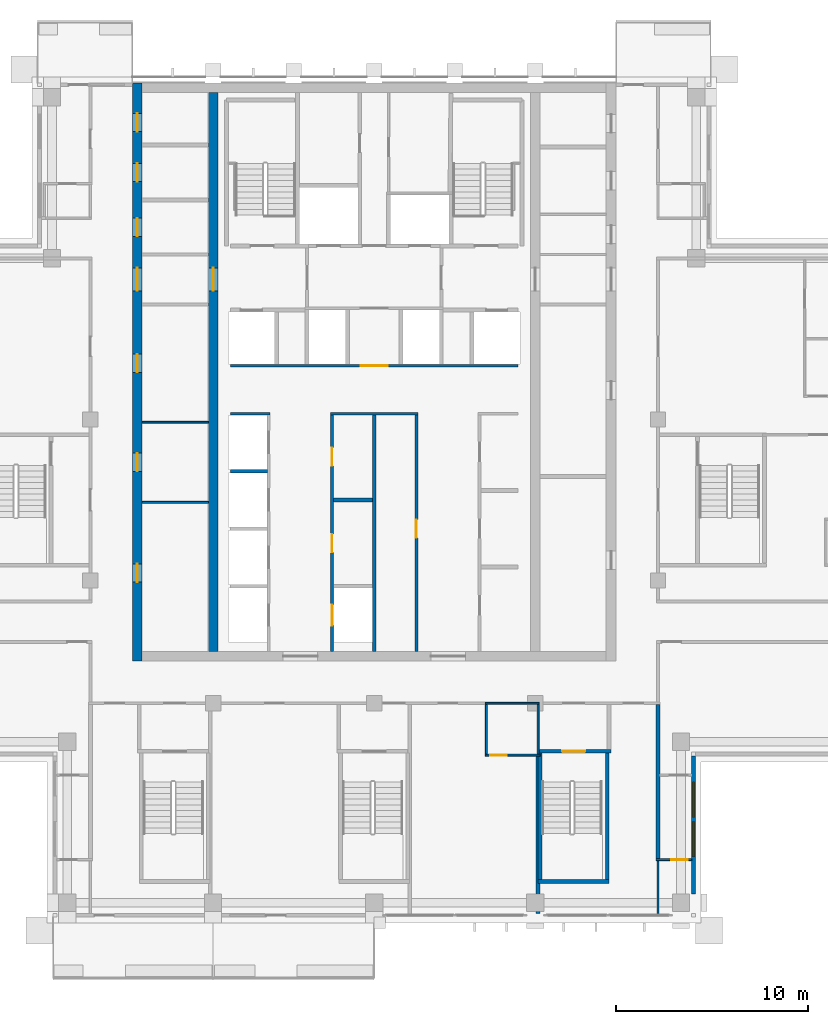
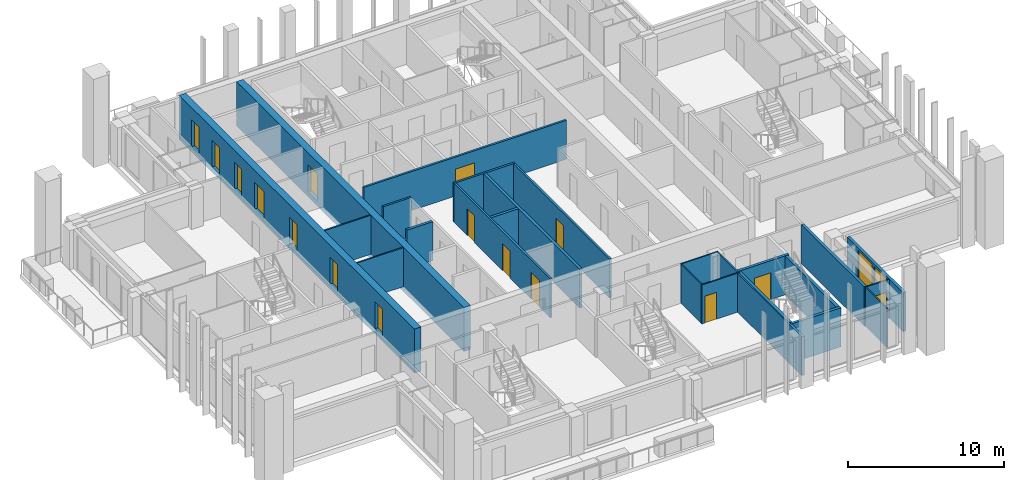
# One storey, part 8 of 16: 25 walls, 16 doors, 2 windows, 18 openings.
"""IFC4 building model written with IfcOpenShell, lengths in metres."""

from ifc_helpers import new_model, si_unit, direction, frame, frame_2d, origin, place, context, subcontext, project, spatial, rectangle, extrude, material, layer, layer_set, type_object, element, fill, save


model = new_model("IFC4")

# Units and contexts
model_context = context("Model", 3, precision=1e-05, world=origin(), true_north=direction((0.0, 1.0)))
body_context = subcontext(model_context, "Body", "Model", "MODEL_VIEW")
ifc_project = project(units=[si_unit("LENGTHUNIT", "METRE"), si_unit("AREAUNIT", "SQUARE_METRE"), si_unit("VOLUMEUNIT", "CUBIC_METRE"), si_unit("PLANEANGLEUNIT", "RADIAN"), si_unit("MASSUNIT", "GRAM", prefix="KILO")], contexts=[model_context])

# Site, building, storey
site_placement = place(None, origin())
site = spatial("IfcSite", under=ifc_project, at=site_placement, CompositionType="ELEMENT")
building_placement = place(site_placement, origin())
building = spatial("IfcBuilding", under=site, at=building_placement, Name="Vermilion Ogive Tower", CompositionType="ELEMENT")
storey_placement = place(building_placement, frame((0.0, 0.0, 233.800048828125)))
storey = spatial("IfcBuildingStorey", under=building, at=storey_placement, Name="L61", CompositionType="ELEMENT", Elevation=233.800048828125)

# Wall, openings, doors
ifc_material_1 = material(Name="Concrete B60", Category="concrete")
ifc_layer_1 = layer(ifc_material_1, 0.5)
ifc_layer_set_1 = layer_set([ifc_layer_1], Name="Core wall 500 B60")
wall_type_1 = type_object("IfcWallType", Name="Core wall 500 B60", PredefinedType="SHEAR", material=ifc_layer_set_1)
wall_1_placement = place(storey_placement, frame((-12.35009765625, -8.39990234375, -0.400146484375), z_axis=(0.0, 0.0, 1.0), x_axis=(0.0, 1.0, 0.0)))
wall_1 = element("IfcWall", 1, at=wall_1_placement, inside=storey, type_object=wall_type_1, Name="L61-CORE-W", PredefinedType="SHEAR", context=body_context, shape_type="SweptSolid", body=[
    extrude(rectangle(XDim=30.14990234375, YDim=0.5, at=frame_2d((15.074951171875, 0.0))), origin(), (0.0, 0.0, 1.0), 3.4501953125),
])
opening_1_placement = place(wall_1_placement, frame((4.112548828125, 0.0, 0.39990234375)))
opening_1 = element("IfcOpeningElement", 2, at=opening_1_placement, cuts=wall_1, Name="Opening DAD105", PredefinedType="OPENING", context=body_context, shape_type="SweptSolid", body=[
    extrude(rectangle(XDim=0.949951171875, YDim=2.10009765625, at=frame_2d((0.47509765625, 1.050048828125))), frame((0.0, 0.260009765625, 0.0), z_axis=(0.0, -1.0, 0.0), x_axis=(1.0, 0.0, 0.0)), (0.0, 0.0, 1.0), 0.52001953125),
])
opening_2_placement = place(wall_1_placement, frame((9.8896484375, 0.0, 0.39990234375)))
opening_2 = element("IfcOpeningElement", 3, at=opening_2_placement, cuts=wall_1, Name="Opening DAD106", PredefinedType="OPENING", context=body_context, shape_type="SweptSolid", body=[
    extrude(rectangle(XDim=0.949951171875, YDim=2.10009765625, at=frame_2d((0.47509765625, 1.050048828125))), frame((0.0, 0.260009765625, 0.0), z_axis=(0.0, -1.0, 0.0), x_axis=(1.0, 0.0, 0.0)), (0.0, 0.0, 1.0), 0.52001953125),
])
opening_3_placement = place(wall_1_placement, frame((15.052001953125, 0.0, 0.39990234375)))
opening_3 = element("IfcOpeningElement", 4, at=opening_3_placement, cuts=wall_1, Name="Opening DAD107", PredefinedType="OPENING", context=body_context, shape_type="SweptSolid", body=[
    extrude(rectangle(XDim=0.949951171875, YDim=2.10009765625, at=frame_2d((0.47509765625, 1.050048828125))), frame((0.0, 0.260009765625, 0.0), z_axis=(0.0, -1.0, 0.0), x_axis=(1.0, 0.0, 0.0)), (0.0, 0.0, 1.0), 0.52001953125),
])
opening_4_placement = place(wall_1_placement, frame((22.1435546875, 0.0, 0.39990234375)))
opening_4 = element("IfcOpeningElement", 5, at=opening_4_placement, cuts=wall_1, Name="Opening DAD108", PredefinedType="OPENING", context=body_context, shape_type="SweptSolid", body=[
    extrude(rectangle(XDim=0.949951171875, YDim=2.10009765625, at=frame_2d((0.47509765625, 1.050048828125))), frame((0.0, 0.260009765625, 0.0), z_axis=(0.0, -1.0, 0.0), x_axis=(1.0, 0.0, 0.0)), (0.0, 0.0, 1.0), 0.52001953125),
])
opening_5_placement = place(wall_1_placement, frame((24.998291015625, 0.0, 0.39990234375)))
opening_5 = element("IfcOpeningElement", 6, at=opening_5_placement, cuts=wall_1, Name="Opening DAD109", PredefinedType="OPENING", context=body_context, shape_type="SweptSolid", body=[
    extrude(rectangle(XDim=0.949951171875, YDim=2.10009765625, at=frame_2d((0.47509765625, 1.050048828125))), frame((0.0, 0.260009765625, 0.0), z_axis=(0.0, -1.0, 0.0), x_axis=(1.0, 0.0, 0.0)), (0.0, 0.0, 1.0), 0.52001953125),
])
opening_6_placement = place(wall_1_placement, frame((27.604736328125, 0.0, 0.39990234375)))
opening_6 = element("IfcOpeningElement", 7, at=opening_6_placement, cuts=wall_1, Name="Opening DAD110", PredefinedType="OPENING", context=body_context, shape_type="SweptSolid", body=[
    extrude(rectangle(XDim=0.949951171875, YDim=2.10009765625, at=frame_2d((0.47509765625, 1.050048828125))), frame((0.0, 0.260009765625, 0.0), z_axis=(0.0, -1.0, 0.0), x_axis=(1.0, 0.0, 0.0)), (0.0, 0.0, 1.0), 0.52001953125),
])
opening_7_placement = place(wall_1_placement, frame((19.300048828125, 0.0, 0.39990234375)))
opening_7 = element("IfcOpeningElement", 8, at=opening_7_placement, cuts=wall_1, Name="Opening DAM025", PredefinedType="OPENING", context=body_context, shape_type="SweptSolid", body=[
    extrude(rectangle(XDim=1.199951171875, YDim=2.10009765625, at=frame_2d((0.60009765625, 1.050048828125))), frame((0.0, 0.260009765625, 0.0), z_axis=(0.0, -1.0, 0.0), x_axis=(1.0, 0.0, 0.0)), (0.0, 0.0, 1.0), 0.52001953125),
])
ifc_material_2 = material(Name="Timber door leaf", Category="wood")
door_type_1 = type_object("IfcDoorType", Name="Link door 1200 x 2100 FD60S", OperationType="SINGLE_SWING_LEFT", PredefinedType="DOOR", material=ifc_material_2)
door_1_placement = place(opening_7_placement, origin())
door_1 = element("IfcDoor", 9, at=door_1_placement, inside=storey, type_object=door_type_1, Name="L61-CKW-XL", OperationType="SINGLE_SWING_LEFT", OverallHeight=2.10009765625, OverallWidth=1.199951171875, PredefinedType="DOOR", context=body_context, shape_type="SweptSolid", body=[
    extrude(rectangle(XDim=1.199951171875, YDim=2.10009765625, at=frame_2d((0.60009765625, 1.050048828125))), frame((0.0, 0.02490234375, 0.0), z_axis=(0.0, -1.0, 0.0), x_axis=(1.0, 0.0, 0.0)), (0.0, 0.0, 1.0), 0.050048828125),
])
fill(opening_7, door_1)
ifc_material_3 = material(Name="Timber door leaf", Category="wood")
door_type_2 = type_object("IfcDoorType", Name="Service door 950 x 2100 FD60", OperationType="SINGLE_SWING_LEFT", PredefinedType="DOOR", material=ifc_material_3)
door_2_placement = place(opening_1_placement, origin())
door_2 = element("IfcDoor", 10, at=door_2_placement, inside=storey, type_object=door_type_2, Name="L61-CKW-XR0", OperationType="SINGLE_SWING_LEFT", OverallHeight=2.10009765625, OverallWidth=0.949951171875, PredefinedType="DOOR", context=body_context, shape_type="SweptSolid", body=[
    extrude(rectangle(XDim=0.949951171875, YDim=2.10009765625, at=frame_2d((0.47509765625, 1.050048828125))), frame((0.0, 0.02490234375, 0.0), z_axis=(0.0, -1.0, 0.0), x_axis=(1.0, 0.0, 0.0)), (0.0, 0.0, 1.0), 0.050048828125),
])
fill(opening_1, door_2)
door_3_placement = place(opening_2_placement, origin())
door_3 = element("IfcDoor", 11, at=door_3_placement, inside=storey, type_object=door_type_2, Name="L61-CKW-XR1", OperationType="SINGLE_SWING_LEFT", OverallHeight=2.10009765625, OverallWidth=0.949951171875, PredefinedType="DOOR", context=body_context, shape_type="SweptSolid", body=[
    extrude(rectangle(XDim=0.949951171875, YDim=2.10009765625, at=frame_2d((0.47509765625, 1.050048828125))), frame((0.0, 0.02490234375, 0.0), z_axis=(0.0, -1.0, 0.0), x_axis=(1.0, 0.0, 0.0)), (0.0, 0.0, 1.0), 0.050048828125),
])
fill(opening_2, door_3)
door_4_placement = place(opening_3_placement, origin())
door_4 = element("IfcDoor", 12, at=door_4_placement, inside=storey, type_object=door_type_2, Name="L61-CKW-XR2", OperationType="SINGLE_SWING_LEFT", OverallHeight=2.10009765625, OverallWidth=0.949951171875, PredefinedType="DOOR", context=body_context, shape_type="SweptSolid", body=[
    extrude(rectangle(XDim=0.949951171875, YDim=2.10009765625, at=frame_2d((0.47509765625, 1.050048828125))), frame((0.0, 0.02490234375, 0.0), z_axis=(0.0, -1.0, 0.0), x_axis=(1.0, 0.0, 0.0)), (0.0, 0.0, 1.0), 0.050048828125),
])
fill(opening_3, door_4)
door_5_placement = place(opening_4_placement, origin())
door_5 = element("IfcDoor", 13, at=door_5_placement, inside=storey, type_object=door_type_2, Name="L61-CKW-XR3", OperationType="SINGLE_SWING_LEFT", OverallHeight=2.10009765625, OverallWidth=0.949951171875, PredefinedType="DOOR", context=body_context, shape_type="SweptSolid", body=[
    extrude(rectangle(XDim=0.949951171875, YDim=2.10009765625, at=frame_2d((0.47509765625, 1.050048828125))), frame((0.0, 0.02490234375, 0.0), z_axis=(0.0, -1.0, 0.0), x_axis=(1.0, 0.0, 0.0)), (0.0, 0.0, 1.0), 0.050048828125),
])
fill(opening_4, door_5)
door_6_placement = place(opening_5_placement, origin())
door_6 = element("IfcDoor", 14, at=door_6_placement, inside=storey, type_object=door_type_2, Name="L61-CKW-XR4", OperationType="SINGLE_SWING_LEFT", OverallHeight=2.10009765625, OverallWidth=0.949951171875, PredefinedType="DOOR", context=body_context, shape_type="SweptSolid", body=[
    extrude(rectangle(XDim=0.949951171875, YDim=2.10009765625, at=frame_2d((0.47509765625, 1.050048828125))), frame((0.0, 0.02490234375, 0.0), z_axis=(0.0, -1.0, 0.0), x_axis=(1.0, 0.0, 0.0)), (0.0, 0.0, 1.0), 0.050048828125),
])
fill(opening_5, door_6)
door_7_placement = place(opening_6_placement, origin())
door_7 = element("IfcDoor", 15, at=door_7_placement, inside=storey, type_object=door_type_2, Name="L61-CKW-XR5", OperationType="SINGLE_SWING_LEFT", OverallHeight=2.10009765625, OverallWidth=0.949951171875, PredefinedType="DOOR", context=body_context, shape_type="SweptSolid", body=[
    extrude(rectangle(XDim=0.949951171875, YDim=2.10009765625, at=frame_2d((0.47509765625, 1.050048828125))), frame((0.0, 0.02490234375, 0.0), z_axis=(0.0, -1.0, 0.0), x_axis=(1.0, 0.0, 0.0)), (0.0, 0.0, 1.0), 0.050048828125),
])
fill(opening_6, door_7)

# Wall, opening, door
wall_2_placement = place(storey_placement, frame((-8.39990234375, -7.89990234375, -0.400146484375), z_axis=(0.0, 0.0, 1.0), x_axis=(0.0, 1.0, 0.0)))
wall_2 = element("IfcWall", 16, at=wall_2_placement, inside=storey, type_object=wall_type_1, Name="L61-CORE-WEB1", PredefinedType="SHEAR", context=body_context, shape_type="SweptSolid", body=[
    extrude(rectangle(XDim=29.14990234375, YDim=0.5, at=frame_2d((14.574951171875, 0.0))), origin(), (0.0, 0.0, 1.0), 3.4501953125),
])
opening_8_placement = place(wall_2_placement, frame((18.800048828125, 0.0, 0.39990234375)))
opening_8 = element("IfcOpeningElement", 17, at=opening_8_placement, cuts=wall_2, Name="Opening DAP020", PredefinedType="OPENING", context=body_context, shape_type="SweptSolid", body=[
    extrude(rectangle(XDim=1.199951171875, YDim=2.10009765625, at=frame_2d((0.60009765625, 1.050048828125))), frame((0.0, 0.260009765625, 0.0), z_axis=(0.0, -1.0, 0.0), x_axis=(1.0, 0.0, 0.0)), (0.0, 0.0, 1.0), 0.52001953125),
])
door_8_placement = place(opening_8_placement, origin())
door_8 = element("IfcDoor", 18, at=door_8_placement, inside=storey, type_object=door_type_1, Name="L61-CKW-XW", OperationType="SINGLE_SWING_LEFT", OverallHeight=2.10009765625, OverallWidth=1.199951171875, PredefinedType="DOOR", context=body_context, shape_type="SweptSolid", body=[
    extrude(rectangle(XDim=1.199951171875, YDim=2.10009765625, at=frame_2d((0.60009765625, 1.050048828125))), frame((0.0, 0.02490234375, 0.0), z_axis=(0.0, -1.0, 0.0), x_axis=(1.0, 0.0, 0.0)), (0.0, 0.0, 1.0), 0.050048828125),
])
fill(opening_8, door_8)

ifc_material_4 = material(Name="Gypsum board partition on steel studs", Category="steel")
ifc_layer_2 = layer(ifc_material_4, 0.10009765625)
ifc_layer_set_2 = layer_set([ifc_layer_2], Name="Partition 100 bath")
wall_type_2 = type_object("IfcWallType", Name="Partition 100 bath", PredefinedType="PARTITIONING", material=ifc_layer_set_2)
wall_3_placement = place(storey_placement, frame((14.699951171875, -18.75, 0.0), z_axis=(0.0, 0.0, 1.0), x_axis=(1.0, 0.0, 0.0)))
wall_3 = element("IfcWall", 19, at=wall_3_placement, inside=storey, type_object=wall_type_2, Name="L61-W-W005", PredefinedType="PARTITIONING", context=body_context, shape_type="SweptSolid", body=[
    extrude(rectangle(XDim=1.85009765625, YDim=0.10009765625, at=frame_2d((0.925048828125, 0.0))), origin(), (0.0, 0.0, 1.0), 3.050048828125),
])
opening_9_placement = place(wall_3_placement, frame((0.800048828125, 0.0, 0.0)))
opening_9 = element("IfcOpeningElement", 20, at=opening_9_placement, cuts=wall_3, Name="Opening D5G2015", PredefinedType="OPENING", context=body_context, shape_type="SweptSolid", body=[
    extrude(rectangle(XDim=0.85009765625, YDim=2.10009765625, at=frame_2d((0.425048828125, 1.050048828125))), frame((0.0, 0.06005859375, 0.0), z_axis=(0.0, -1.0, 0.0), x_axis=(1.0, 0.0, 0.0)), (0.0, 0.0, 1.0), 0.1201171875),
])
ifc_material_5 = material(Name="Timber door leaf", Category="wood")
door_type_3 = type_object("IfcDoorType", Name="Bath door 850 x 2100 FD30", OperationType="SINGLE_SWING_LEFT", PredefinedType="DOOR", material=ifc_material_5)
door_9_placement = place(opening_9_placement, origin())
door_9 = element("IfcDoor", 21, at=door_9_placement, inside=storey, type_object=door_type_3, Name="L61-D-D015", OperationType="SINGLE_SWING_RIGHT", OverallHeight=2.10009765625, OverallWidth=0.85009765625, PredefinedType="DOOR", context=body_context, shape_type="SweptSolid", body=[
    extrude(rectangle(XDim=0.85009765625, YDim=2.10009765625, at=frame_2d((0.425048828125, 1.050048828125))), frame((0.0, 0.02490234375, 0.0), z_axis=(0.0, -1.0, 0.0), x_axis=(1.0, 0.0, 0.0)), (0.0, 0.0, 1.0), 0.050048828125),
])
fill(opening_9, door_9)

wall_4_placement = place(storey_placement, frame((5.800048828125, -13.300048828125, 0.0), z_axis=(0.0, 0.0, 1.0), x_axis=(1.0, 0.0, 0.0)))
wall_4 = element("IfcWall", 22, at=wall_4_placement, inside=storey, type_object=wall_type_2, Name="L61-W-W008", PredefinedType="PARTITIONING", context=body_context, shape_type="SweptSolid", body=[
    extrude(rectangle(XDim=2.849853515625, YDim=0.10009765625, at=frame_2d((1.4248046875, 0.0))), origin(), (0.0, 0.0, 1.0), 3.050048828125),
])
opening_10_placement = place(wall_4_placement, frame((0.25, 0.0, 0.0)))
opening_10 = element("IfcOpeningElement", 23, at=opening_10_placement, cuts=wall_4, Name="Opening D5G2012", PredefinedType="OPENING", context=body_context, shape_type="SweptSolid", body=[
    extrude(rectangle(XDim=0.85009765625, YDim=2.10009765625, at=frame_2d((0.425048828125, 1.050048828125))), frame((0.0, 0.06005859375, 0.0), z_axis=(0.0, -1.0, 0.0), x_axis=(1.0, 0.0, 0.0)), (0.0, 0.0, 1.0), 0.1201171875),
])
door_10_placement = place(opening_10_placement, origin())
door_10 = element("IfcDoor", 24, at=door_10_placement, inside=storey, type_object=door_type_3, Name="L61-D-D012", OperationType="SINGLE_SWING_LEFT", OverallHeight=2.10009765625, OverallWidth=0.85009765625, PredefinedType="DOOR", context=body_context, shape_type="SweptSolid", body=[
    extrude(rectangle(XDim=0.85009765625, YDim=2.10009765625, at=frame_2d((0.425048828125, 1.050048828125))), frame((0.0, 0.02490234375, 0.0), z_axis=(0.0, -1.0, 0.0), x_axis=(1.0, 0.0, 0.0)), (0.0, 0.0, 1.0), 0.050048828125),
])
fill(opening_10, door_10)

# Walls
wall_5_placement = place(storey_placement, frame((5.800048828125, -10.60009765625, 0.0), z_axis=(0.0, 0.0, 1.0), x_axis=(1.0, 0.0, 0.0)))
element("IfcWall", 25, at=wall_5_placement, inside=storey, type_object=wall_type_2, Name="L61-W-W013", PredefinedType="PARTITIONING", context=body_context, shape_type="SweptSolid", body=[
    extrude(rectangle(XDim=2.800048828125, YDim=0.10009765625, at=frame_2d((1.39990234375, 0.0))), origin(), (0.0, 0.0, 1.0), 3.050048828125),
])
for number, where, z_axis, x_axis, name in (
    (26, (5.85009765625, -13.25, 0.0), (0.0, 0.0, 1.0), (0.0, 1.0, 0.0), "L61-W-W060"),
    (27, (8.550048828125, -13.25, 0.0), (0.0, 0.0, 1.0), (0.0, 1.0, 0.0), "L61-W-W062"),
):
    element("IfcWall", number, at=place(storey_placement, frame(where, z_axis=z_axis, x_axis=x_axis)), inside=storey, type_object=wall_type_2, Name=name, PredefinedType="PARTITIONING", context=body_context, shape_type="SweptSolid", body=[
        extrude(rectangle(XDim=2.574951171875, YDim=0.10009765625, at=frame_2d((1.28759765625, 0.0))), origin(), (0.0, 0.0, 1.0), 3.050048828125),
    ])
wall_6_placement = place(storey_placement, frame((14.800048828125, -21.550048828125, 0.0), z_axis=(0.0, 0.0, 1.0), x_axis=(0.0, 1.0, 0.0)))
element("IfcWall", 28, at=wall_6_placement, inside=storey, type_object=wall_type_2, Name="L61-W-W066", PredefinedType="PARTITIONING", context=body_context, shape_type="SweptSolid", body=[
    extrude(rectangle(XDim=2.75, YDim=0.10009765625, at=frame_2d((1.375, 0.0))), origin(), (0.0, 0.0, 1.0), 3.050048828125),
])
for number, where, z_axis, x_axis, name in (
    (29, (-12.09912109375, -0.125, 0.0), (0.0, 0.0, 1.0), (1.0, 0.0, 0.0), "L61-CKW-W-W001"),
    (30, (-12.09912109375, 4.053955078125, 0.0), (0.0, 0.0, 1.0), (1.0, 0.0, 0.0), "L61-CKW-W-W002"),
):
    element("IfcWall", number, at=place(storey_placement, frame(where, z_axis=z_axis, x_axis=x_axis)), inside=storey, type_object=wall_type_2, Name=name, PredefinedType="PARTITIONING", context=body_context, shape_type="SweptSolid", body=[
        extrude(rectangle(XDim=3.4482421875, YDim=0.10009765625, at=frame_2d((1.72412109375, 0.0))), origin(), (0.0, 0.0, 1.0), 3.050048828125),
    ])
ifc_material_6 = material(Name="Gypsum board partition on steel studs", Category="steel")
ifc_layer_3 = layer(ifc_material_6, 0.14990234375)
ifc_layer_set_3 = layer_set([ifc_layer_3], Name="Partition 150 corridor")
wall_type_3 = type_object("IfcWallType", Name="Partition 150 corridor", PredefinedType="PARTITIONING", material=ifc_layer_set_3)
wall_7_placement = place(storey_placement, frame((-7.5, 4.5, 0.0), z_axis=(0.0, 0.0, 1.0), x_axis=(1.0, 0.0, 0.0)))
element("IfcWall", 31, at=wall_7_placement, inside=storey, type_object=wall_type_3, Name="L61-CK-W-W008", PredefinedType="PARTITIONING", context=body_context, shape_type="SweptSolid", body=[
    extrude(rectangle(XDim=2.074951171875, YDim=0.14990234375, at=frame_2d((1.03759765625, 0.0))), origin(), (0.0, 0.0, 1.0), 3.050048828125),
])
wall_8_placement = place(storey_placement, frame((-2.27490234375, 4.5, 0.0), z_axis=(0.0, 0.0, 1.0), x_axis=(1.0, 0.0, 0.0)))
element("IfcWall", 32, at=wall_8_placement, inside=storey, type_object=wall_type_3, Name="L61-CK-W-W009", PredefinedType="PARTITIONING", context=body_context, shape_type="SweptSolid", body=[
    extrude(rectangle(XDim=4.5498046875, YDim=0.14990234375, at=frame_2d((2.27490234375, 0.0))), origin(), (0.0, 0.0, 1.0), 3.050048828125),
])

# Wall, opening, door
wall_9_placement = place(storey_placement, frame((-7.5, 7.0, 0.0), z_axis=(0.0, 0.0, 1.0), x_axis=(1.0, 0.0, 0.0)))
wall_9 = element("IfcWall", 33, at=wall_9_placement, inside=storey, type_object=wall_type_3, Name="L61-CK-W-W011", PredefinedType="PARTITIONING", context=body_context, shape_type="SweptSolid", body=[
    extrude(rectangle(XDim=15.0, YDim=0.14990234375, at=frame_2d((7.5, 0.0))), origin(), (0.0, 0.0, 1.0), 3.050048828125),
])
opening_11_placement = place(wall_9_placement, frame((6.800048828125, 0.0, 0.0)))
opening_11 = element("IfcOpeningElement", 34, at=opening_11_placement, cuts=wall_9, Name="Opening DAA563", PredefinedType="OPENING", context=body_context, shape_type="SweptSolid", body=[
    extrude(rectangle(XDim=1.39990234375, YDim=2.10009765625, at=frame_2d((0.699951171875, 1.050048828125))), frame((0.0, 0.0849609375, 0.0), z_axis=(0.0, -1.0, 0.0), x_axis=(1.0, 0.0, 0.0)), (0.0, 0.0, 1.0), 0.169921875),
])
ifc_material_7 = material(Name="Timber door leaf", Category="wood")
door_type_4 = type_object("IfcDoorType", Name="Lobby door 1400 x 2100 FD60S", OperationType="SINGLE_SWING_LEFT", PredefinedType="DOOR", material=ifc_material_7)
door_11_placement = place(opening_11_placement, origin())
door_11 = element("IfcDoor", 35, at=door_11_placement, inside=storey, type_object=door_type_4, Name="L61-CK-D-D016", OperationType="SINGLE_SWING_RIGHT", OverallHeight=2.10009765625, OverallWidth=1.39990234375, PredefinedType="DOOR", context=body_context, shape_type="SweptSolid", body=[
    extrude(rectangle(XDim=1.39990234375, YDim=2.10009765625, at=frame_2d((0.699951171875, 1.050048828125))), frame((0.0, 0.02490234375, 0.0), z_axis=(0.0, -1.0, 0.0), x_axis=(1.0, 0.0, 0.0)), (0.0, 0.0, 1.0), 0.050048828125),
])
fill(opening_11, door_11)

# Wall, openings, doors
wall_10_placement = place(storey_placement, frame((-2.199951171875, -7.89892578125, 0.0), z_axis=(0.0, 0.0, 1.0), x_axis=(0.0, 1.0, 0.0)))
wall_10 = element("IfcWall", 36, at=wall_10_placement, inside=storey, type_object=wall_type_3, Name="L61-CK-W-W025", PredefinedType="PARTITIONING", context=body_context, shape_type="SweptSolid", body=[
    extrude(rectangle(XDim=12.323974609375, YDim=0.14990234375, at=frame_2d((6.162109375, 0.0))), origin(), (0.0, 0.0, 1.0), 3.050048828125),
])
opening_12_placement = place(wall_10_placement, frame((1.348876953125, 0.0, 0.0)))
opening_12 = element("IfcOpeningElement", 37, at=opening_12_placement, cuts=wall_10, Name="Opening DAA580", PredefinedType="OPENING", context=body_context, shape_type="SweptSolid", body=[
    extrude(rectangle(XDim=1.10009765625, YDim=2.10009765625, at=frame_2d((0.550048828125, 1.050048828125))), frame((0.0, 0.0849609375, 0.0), z_axis=(0.0, -1.0, 0.0), x_axis=(1.0, 0.0, 0.0)), (0.0, 0.0, 1.0), 0.169921875),
])
opening_13_placement = place(wall_10_placement, frame((5.173828125, 0.0, 0.0)))
opening_13 = element("IfcOpeningElement", 38, at=opening_13_placement, cuts=wall_10, Name="Opening DAA566", PredefinedType="OPENING", context=body_context, shape_type="SweptSolid", body=[
    extrude(rectangle(XDim=0.949951171875, YDim=2.10009765625, at=frame_2d((0.47509765625, 1.050048828125))), frame((0.0, 0.0849609375, 0.0), z_axis=(0.0, -1.0, 0.0), x_axis=(1.0, 0.0, 0.0)), (0.0, 0.0, 1.0), 0.169921875),
])
opening_14_placement = place(wall_10_placement, frame((9.673828125, 0.0, 0.0)))
opening_14 = element("IfcOpeningElement", 39, at=opening_14_placement, cuts=wall_10, Name="Opening DAA567", PredefinedType="OPENING", context=body_context, shape_type="SweptSolid", body=[
    extrude(rectangle(XDim=0.949951171875, YDim=2.10009765625, at=frame_2d((0.47509765625, 1.050048828125))), frame((0.0, 0.0849609375, 0.0), z_axis=(0.0, -1.0, 0.0), x_axis=(1.0, 0.0, 0.0)), (0.0, 0.0, 1.0), 0.169921875),
])
ifc_material_8 = material(Name="Stainless steel", Category="steel")
door_type_5 = type_object("IfcDoorType", Name="Lift landing door 1100 x 2100", OperationType="SLIDING_TO_LEFT", PredefinedType="DOOR", material=ifc_material_8)
door_12_placement = place(opening_12_placement, origin())
door_12 = element("IfcDoor", 40, at=door_12_placement, inside=storey, type_object=door_type_5, Name="L61-CK-D-D005", OperationType="SLIDING_TO_LEFT", OverallHeight=2.10009765625, OverallWidth=1.10009765625, PredefinedType="DOOR", context=body_context, shape_type="SweptSolid", body=[
    extrude(rectangle(XDim=1.10009765625, YDim=2.10009765625, at=frame_2d((0.550048828125, 1.050048828125))), frame((0.0, 0.02490234375, 0.0), z_axis=(0.0, -1.0, 0.0), x_axis=(1.0, 0.0, 0.0)), (0.0, 0.0, 1.0), 0.050048828125),
])
fill(opening_12, door_12)
door_13_placement = place(opening_13_placement, origin())
door_13 = element("IfcDoor", 41, at=door_13_placement, inside=storey, type_object=door_type_2, Name="L61-CK-D-D006", OperationType="SINGLE_SWING_LEFT", OverallHeight=2.10009765625, OverallWidth=0.949951171875, PredefinedType="DOOR", context=body_context, shape_type="SweptSolid", body=[
    extrude(rectangle(XDim=0.949951171875, YDim=2.10009765625, at=frame_2d((0.47509765625, 1.050048828125))), frame((0.0, 0.02490234375, 0.0), z_axis=(0.0, -1.0, 0.0), x_axis=(1.0, 0.0, 0.0)), (0.0, 0.0, 1.0), 0.050048828125),
])
fill(opening_13, door_13)
door_14_placement = place(opening_14_placement, origin())
door_14 = element("IfcDoor", 42, at=door_14_placement, inside=storey, type_object=door_type_2, Name="L61-CK-D-D007", OperationType="SINGLE_SWING_RIGHT", OverallHeight=2.10009765625, OverallWidth=0.949951171875, PredefinedType="DOOR", context=body_context, shape_type="SweptSolid", body=[
    extrude(rectangle(XDim=0.949951171875, YDim=2.10009765625, at=frame_2d((0.47509765625, 1.050048828125))), frame((0.0, 0.02490234375, 0.0), z_axis=(0.0, -1.0, 0.0), x_axis=(1.0, 0.0, 0.0)), (0.0, 0.0, 1.0), 0.050048828125),
])
fill(opening_14, door_14)

# Wall, opening, door
wall_11_placement = place(storey_placement, frame((2.199951171875, -7.89892578125, 0.0), z_axis=(0.0, 0.0, 1.0), x_axis=(0.0, 1.0, 0.0)))
wall_11 = element("IfcWall", 43, at=wall_11_placement, inside=storey, type_object=wall_type_3, Name="L61-CK-W-W032", PredefinedType="PARTITIONING", context=body_context, shape_type="SweptSolid", body=[
    extrude(rectangle(XDim=12.323974609375, YDim=0.14990234375, at=frame_2d((6.162109375, 0.0))), origin(), (0.0, 0.0, 1.0), 3.050048828125),
])
opening_15_placement = place(wall_11_placement, frame((5.923828125, 0.0, 0.0)))
opening_15 = element("IfcOpeningElement", 44, at=opening_15_placement, cuts=wall_11, Name="Opening DAA568", PredefinedType="OPENING", context=body_context, shape_type="SweptSolid", body=[
    extrude(rectangle(XDim=0.949951171875, YDim=2.10009765625, at=frame_2d((0.47509765625, 1.050048828125))), frame((0.0, 0.0849609375, 0.0), z_axis=(0.0, -1.0, 0.0), x_axis=(1.0, 0.0, 0.0)), (0.0, 0.0, 1.0), 0.169921875),
])
door_15_placement = place(opening_15_placement, origin())
door_15 = element("IfcDoor", 45, at=door_15_placement, inside=storey, type_object=door_type_2, Name="L61-CK-D-D008", OperationType="SINGLE_SWING_RIGHT", OverallHeight=2.10009765625, OverallWidth=0.949951171875, PredefinedType="DOOR", context=body_context, shape_type="SweptSolid", body=[
    extrude(rectangle(XDim=0.949951171875, YDim=2.10009765625, at=frame_2d((0.47509765625, 1.050048828125))), frame((0.0, 0.02490234375, 0.0), z_axis=(0.0, -1.0, 0.0), x_axis=(1.0, 0.0, 0.0)), (0.0, 0.0, 1.0), 0.050048828125),
])
fill(opening_15, door_15)

# Walls
ifc_material_9 = material(Name="Gypsum board partition on steel studs", Category="steel")
ifc_layer_4 = layer(ifc_material_9, 0.199951171875)
ifc_layer_set_4 = layer_set([ifc_layer_4], Name="Partition 200 party")
wall_type_4 = type_object("IfcWallType", Name="Partition 200 party", PredefinedType="PARTITIONING", material=ifc_layer_set_4)
wall_12_placement = place(storey_placement, frame((14.800048828125, -18.699951171875, 0.0), z_axis=(0.0, 0.0, 1.0), x_axis=(0.0, 1.0, 0.0)))
element("IfcWall", 46, at=wall_12_placement, inside=storey, type_object=wall_type_4, Name="L61-W-W067", PredefinedType="PARTITIONING", context=body_context, shape_type="SweptSolid", body=[
    extrude(rectangle(XDim=8.02490234375, YDim=0.199951171875, at=frame_2d((4.012451171875, 0.0))), origin(), (0.0, 0.0, 1.0), 3.050048828125),
])
wall_13_placement = place(storey_placement, frame((-2.125, 0.0, 0.0), z_axis=(0.0, 0.0, 1.0), x_axis=(1.0, 0.0, 0.0)))
element("IfcWall", 47, at=wall_13_placement, inside=storey, type_object=wall_type_4, Name="L61-CK-W-W005", PredefinedType="PARTITIONING", context=body_context, shape_type="SweptSolid", body=[
    extrude(rectangle(XDim=2.02490234375, YDim=0.199951171875, at=frame_2d((1.012451171875, 0.0))), origin(), (0.0, 0.0, 1.0), 3.050048828125),
])
wall_14_placement = place(storey_placement, frame((-7.5, 1.5, 0.0), z_axis=(0.0, 0.0, 1.0), x_axis=(1.0, 0.0, 0.0)))
element("IfcWall", 48, at=wall_14_placement, inside=storey, type_object=wall_type_4, Name="L61-CK-W-W007", PredefinedType="PARTITIONING", context=body_context, shape_type="SweptSolid", body=[
    extrude(rectangle(XDim=1.925048828125, YDim=0.199951171875, at=frame_2d((0.96240234375, 0.0))), origin(), (0.0, 0.0, 1.0), 3.050048828125),
])
wall_15_placement = place(storey_placement, frame((0.0, -7.89892578125, 0.0), z_axis=(0.0, 0.0, 1.0), x_axis=(0.0, 1.0, 0.0)))
element("IfcWall", 49, at=wall_15_placement, inside=storey, type_object=wall_type_4, Name="L61-CK-W-W028", PredefinedType="PARTITIONING", context=body_context, shape_type="SweptSolid", body=[
    extrude(rectangle(XDim=12.323974609375, YDim=0.199951171875, at=frame_2d((6.162109375, 0.0))), origin(), (0.0, 0.0, 1.0), 3.050048828125),
])
ifc_material_10 = material(Name="Concrete B60", Category="concrete")
ifc_layer_5 = layer(ifc_material_10, 0.199951171875)
ifc_layer_set_5 = layer_set([ifc_layer_5], Name="Stair shaft wall 200 Concrete B60")
wall_type_5 = type_object("IfcWallType", Name="Stair shaft wall 200 Concrete B60", PredefinedType="SOLIDWALL", material=ifc_layer_set_5)
wall_16_placement = place(storey_placement, frame((8.552001953125, -19.89990234375, 0.0), z_axis=(0.0, 0.0, 1.0), x_axis=(1.0, 0.0, 0.0)))
element("IfcWall", 50, at=wall_16_placement, inside=storey, type_object=wall_type_5, Name="L61-W-W003", PredefinedType="SOLIDWALL", context=body_context, shape_type="SweptSolid", body=[
    extrude(rectangle(XDim=3.696044921875, YDim=0.199951171875, at=frame_2d((1.84814453125, 0.0))), origin(), (0.0, 0.0, 1.0), 3.050048828125),
])

# Wall, opening, door
wall_17_placement = place(storey_placement, frame((8.60205078125, -13.10009765625, 0.0), z_axis=(0.0, 0.0, 1.0), x_axis=(1.0, 0.0, 0.0)))
wall_17 = element("IfcWall", 51, at=wall_17_placement, inside=storey, type_object=wall_type_5, Name="L61-W-W011", PredefinedType="SOLIDWALL", context=body_context, shape_type="SweptSolid", body=[
    extrude(rectangle(XDim=3.745849609375, YDim=0.199951171875, at=frame_2d((1.873046875, 0.0))), origin(), (0.0, 0.0, 1.0), 3.050048828125),
])
opening_16_placement = place(wall_17_placement, frame((1.197998046875, 0.0, 0.0)))
opening_16 = element("IfcOpeningElement", 52, at=opening_16_placement, cuts=wall_17, Name="Opening D5G2028", PredefinedType="OPENING", context=body_context, shape_type="SweptSolid", body=[
    extrude(rectangle(XDim=1.199951171875, YDim=2.10009765625, at=frame_2d((0.60009765625, 1.050048828125))), frame((0.0, 0.10986328125, 0.0), z_axis=(0.0, -1.0, 0.0), x_axis=(1.0, 0.0, 0.0)), (0.0, 0.0, 1.0), 0.219970703125),
])
ifc_material_11 = material(Name="Timber door leaf", Category="wood")
door_type_6 = type_object("IfcDoorType", Name="Stair door 1200 x 2100 FD60S", OperationType="SINGLE_SWING_LEFT", PredefinedType="DOOR", material=ifc_material_11)
door_16_placement = place(opening_16_placement, origin())
door_16 = element("IfcDoor", 53, at=door_16_placement, inside=storey, type_object=door_type_6, Name="L61-D-D028", OperationType="SINGLE_SWING_RIGHT", OverallHeight=2.10009765625, OverallWidth=1.199951171875, PredefinedType="DOOR", context=body_context, shape_type="SweptSolid", body=[
    extrude(rectangle(XDim=1.199951171875, YDim=2.10009765625, at=frame_2d((0.60009765625, 1.050048828125))), frame((0.0, 0.02490234375, 0.0), z_axis=(0.0, -1.0, 0.0), x_axis=(1.0, 0.0, 0.0)), (0.0, 0.0, 1.0), 0.050048828125),
])
fill(opening_16, door_16)

# Walls
for number, where, z_axis, x_axis, name in (
    (54, (8.64990234375, -19.798095703125, 0.0), (0.0, 0.0, 1.0), (0.0, 1.0, 0.0), "L61-W-W063"),
    (55, (12.14990234375, -19.798095703125, 0.0), (0.0, 0.0, 1.0), (0.0, 1.0, 0.0), "L61-W-W064"),
):
    element("IfcWall", number, at=place(storey_placement, frame(where, z_axis=z_axis, x_axis=x_axis)), inside=storey, type_object=wall_type_5, Name=name, PredefinedType="SOLIDWALL", context=body_context, shape_type="SweptSolid", body=[
        extrude(rectangle(XDim=6.59619140625, YDim=0.199951171875, at=frame_2d((3.298095703125, 0.0))), origin(), (0.0, 0.0, 1.0), 3.050048828125),
    ])
wall_18_placement = place(storey_placement, frame((8.550048828125, -21.550048828125, 0.0), z_axis=(0.0, 0.0, 1.0), x_axis=(0.0, 1.0, 0.0)))
element("IfcWall", 56, at=wall_18_placement, inside=storey, type_object=wall_type_5, Name="L61-W-W061-A", PredefinedType="SOLIDWALL", context=body_context, shape_type="SweptSolid", body=[
    extrude(rectangle(XDim=8.199951171875, YDim=0.199951171875, at=frame_2d((4.10009765625, 0.0))), origin(), (0.0, 0.0, 1.0), 3.050048828125),
])

# Wall, openings, windows
ifc_material_12 = material(Name="Aluminium window wall framing", Category="aluminium")
ifc_layer_6 = layer(ifc_material_12, 0.199951171875)
ifc_layer_set_6 = layer_set([ifc_layer_6], Name="Window wall")
wall_type_6 = type_object("IfcWallType", Name="Window wall", PredefinedType="STANDARD", material=ifc_layer_set_6)
wall_19_placement = place(storey_placement, frame((16.64990234375, -20.550048828125, 0.0), z_axis=(0.0, 0.0, 1.0), x_axis=(0.0, 1.0, 0.0)))
wall_19 = element("IfcWall", 57, at=wall_19_placement, inside=storey, type_object=wall_type_6, Name="Window wall X11", PredefinedType="STANDARD", context=body_context, shape_type="SweptSolid", body=[
    extrude(rectangle(XDim=7.199951171875, YDim=0.199951171875, at=frame_2d((3.60009765625, 0.0))), origin(), (0.0, 0.0, 1.0), 3.050048828125),
])
opening_17_placement = place(wall_19_placement, frame((1.969970703125, 0.0, 0.199951171875)))
opening_17 = element("IfcOpeningElement", 58, at=opening_17_placement, cuts=wall_19, Name="Opening W1-X195", PredefinedType="OPENING", context=body_context, shape_type="SweptSolid", body=[
    extrude(rectangle(XDim=1.800048828125, YDim=2.64990234375, at=frame_2d((0.89990234375, 1.324951171875))), frame((0.0, 0.10986328125, 0.0), z_axis=(0.0, -1.0, 0.0), x_axis=(1.0, 0.0, 0.0)), (0.0, 0.0, 1.0), 0.219970703125),
])
opening_18_placement = place(wall_19_placement, frame((4.02490234375, 0.0, 0.199951171875)))
opening_18 = element("IfcOpeningElement", 59, at=opening_18_placement, cuts=wall_19, Name="Opening W1-X196", PredefinedType="OPENING", context=body_context, shape_type="SweptSolid", body=[
    extrude(rectangle(XDim=1.800048828125, YDim=2.64990234375, at=frame_2d((0.89990234375, 1.324951171875))), frame((0.0, 0.10986328125, 0.0), z_axis=(0.0, -1.0, 0.0), x_axis=(1.0, 0.0, 0.0)), (0.0, 0.0, 1.0), 0.219970703125),
])
ifc_material_13 = material(Name="Aluminium framed double glazing", Category="aluminium")
window_type = type_object("IfcWindowType", Name="Guest window W1", PartitioningType="SINGLE_PANEL", PredefinedType="WINDOW", material=ifc_material_13)
window_1_placement = place(opening_17_placement, origin())
window_1 = element("IfcWindow", 60, at=window_1_placement, inside=storey, type_object=window_type, Name="Window X195", OverallHeight=2.64990234375, OverallWidth=1.800048828125, PartitioningType="SINGLE_PANEL", PredefinedType="WINDOW", context=body_context, shape_type="SweptSolid", body=[
    extrude(rectangle(XDim=1.800048828125, YDim=2.64990234375, at=frame_2d((0.89990234375, 1.324951171875))), frame((0.0, 0.030029296875, 0.0), z_axis=(0.0, -1.0, 0.0), x_axis=(1.0, 0.0, 0.0)), (0.0, 0.0, 1.0), 0.06005859375),
])
fill(opening_17, window_1)
window_2_placement = place(opening_18_placement, origin())
window_2 = element("IfcWindow", 61, at=window_2_placement, inside=storey, type_object=window_type, Name="Window X196", OverallHeight=2.64990234375, OverallWidth=1.800048828125, PartitioningType="SINGLE_PANEL", PredefinedType="WINDOW", context=body_context, shape_type="SweptSolid", body=[
    extrude(rectangle(XDim=1.800048828125, YDim=2.64990234375, at=frame_2d((0.89990234375, 1.324951171875))), frame((0.0, 0.030029296875, 0.0), z_axis=(0.0, -1.0, 0.0), x_axis=(1.0, 0.0, 0.0)), (0.0, 0.0, 1.0), 0.06005859375),
])
fill(opening_18, window_2)

save(model, "model.ifc")
